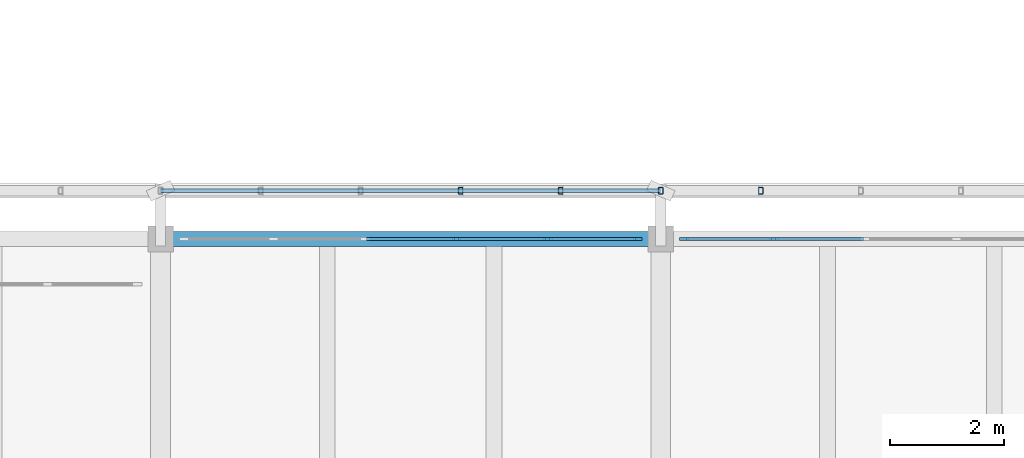
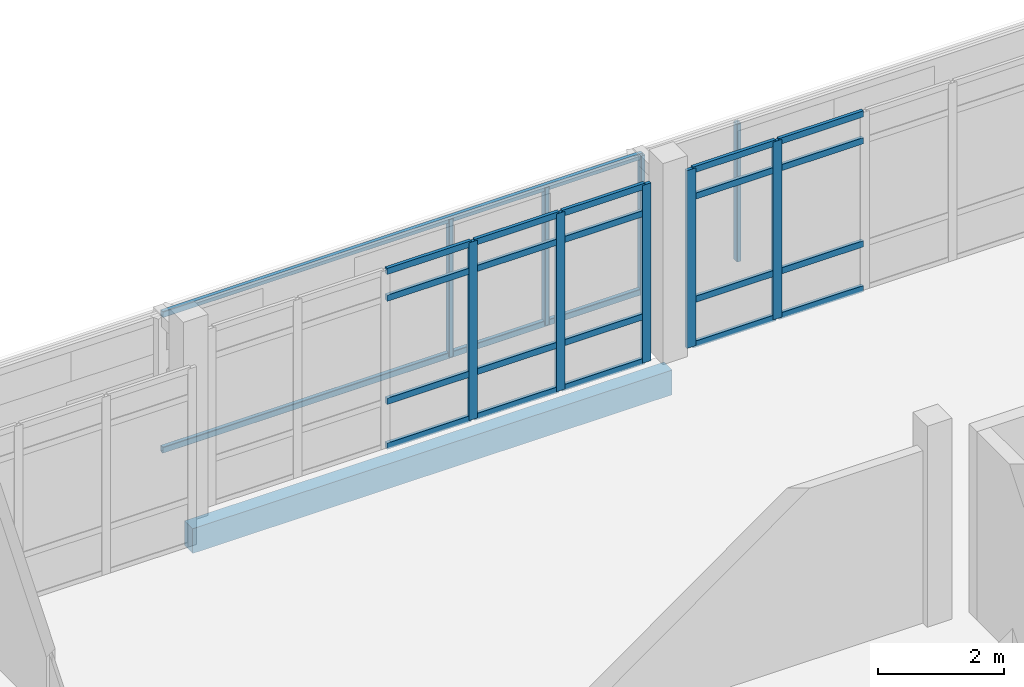
# One storey, part 30 of 117: 31 members, 1 beam, 2 elements without a shape of their own.
"""IFC4 building model written with IfcOpenShell, lengths in metres."""

from ifc_helpers import new_model, si_unit, direction, frame, origin, origin_2d, place, context, subcontext, project, spatial, rectangle, hollow_rectangle, extrude, material, material_profile, profile_set, type_object, element, aggregate, save


model = new_model("IFC4")

# Units and contexts
model_context = context("Model", 3, precision=1e-05, world=origin(), true_north=direction((0.0, 1.0)))
body_context = subcontext(model_context, "Body", "Model", "MODEL_VIEW")
ifc_project = project(units=[si_unit("LENGTHUNIT", "METRE"), si_unit("AREAUNIT", "SQUARE_METRE"), si_unit("VOLUMEUNIT", "CUBIC_METRE"), si_unit("PLANEANGLEUNIT", "RADIAN"), si_unit("MASSUNIT", "GRAM", prefix="KILO")], contexts=[model_context])

# Site, building, storey
site_placement = place(None, origin())
site = spatial("IfcSite", under=ifc_project, at=site_placement, CompositionType="ELEMENT")
building_placement = place(site_placement, origin())
building = spatial("IfcBuilding", under=site, at=building_placement, Name="Cinderway Yard Community Centre", CompositionType="ELEMENT")
storey_placement = place(building_placement, frame((0.0, 0.0, 9.0)))
storey = spatial("IfcBuildingStorey", under=building, at=storey_placement, Name="L02", CompositionType="ELEMENT", Elevation=9.0)

# Curtain wall, members
ifc_material_1 = material(Name="Aluminium 6063-T6", Category="aluminium")
curtain_wall_type = type_object("IfcCurtainWallType", Name="ENV-CW-TYPE-30", PredefinedType="USERDEFINED", material=ifc_material_1)
curtain_wall_1_placement = place(storey_placement, origin())
curtain_wall_1 = element("IfcCurtainWall", 1, at=curtain_wall_1_placement, inside=storey, type_object=curtain_wall_type, Name="Dining Courtyard Curtain Wall ENV-CW-L02-ST-0105", ObjectType="GLAZED CURTAIN WALL", PredefinedType="USERDEFINED")
ifc_material_profile_1 = material_profile(ifc_material_1, rectangle(XDim=0.06005859375, YDim=0.159912109375, at=origin_2d()), Name="Aluminium 6063-T6")
ifc_profile_set_1 = profile_set([ifc_material_profile_1], Name="Aluminium 6063-T6")
member_type_1 = type_object("IfcMemberType", Name="ENV-CW-MULL-150", PredefinedType="MULLION", material=ifc_profile_set_1)
member_1_placement = place(storey_placement, frame((98.00390625, 22.800048828125, 0.0), z_axis=(0.0, 0.0, 1.0), x_axis=(0.0, 1.0, 0.0)))
member_1 = element("IfcMember", 2, at=member_1_placement, type_object=member_type_1, Name="CW-30 mullion 4", PredefinedType="MULLION", context=body_context, shape_type="SweptSolid", body=[
    extrude(rectangle(XDim=0.06005859375, YDim=0.159912109375, at=origin_2d()), origin(), (0.0, 0.0, 1.0), 3.449951171875),
])
member_2_placement = place(storey_placement, frame((99.612060546875, 22.800048828125, 0.0), z_axis=(0.0, 0.0, 1.0), x_axis=(0.0, 1.0, 0.0)))
member_2 = element("IfcMember", 3, at=member_2_placement, type_object=member_type_1, Name="CW-30 mullion 5", PredefinedType="MULLION", context=body_context, shape_type="SweptSolid", body=[
    extrude(rectangle(XDim=0.06005859375, YDim=0.159912109375, at=origin_2d()), origin(), (0.0, 0.0, 1.0), 3.449951171875),
])
member_3_placement = place(storey_placement, frame((101.18994140625, 22.800048828125, 0.0), z_axis=(0.0, 0.0, 1.0), x_axis=(0.0, 1.0, 0.0)))
member_3 = element("IfcMember", 4, at=member_3_placement, type_object=member_type_1, Name="CW-30 mullion 6", PredefinedType="MULLION", context=body_context, shape_type="SweptSolid", body=[
    extrude(rectangle(XDim=0.06005859375, YDim=0.159912109375, at=origin_2d()), origin(), (0.0, 0.0, 1.0), 3.449951171875),
])

curtain_wall_2_placement = place(storey_placement, origin())
curtain_wall_2 = element("IfcCurtainWall", 5, at=curtain_wall_2_placement, inside=storey, type_object=curtain_wall_type, Name="Dining Courtyard Curtain Wall ENV-CW-L02-ST-0106", ObjectType="GLAZED CURTAIN WALL", PredefinedType="USERDEFINED")
member_4_placement = place(storey_placement, frame((102.010009765625, 22.800048828125, 0.0), z_axis=(0.0, 0.0, 1.0), x_axis=(0.0, 1.0, 0.0)))
member_4 = element("IfcMember", 6, at=member_4_placement, type_object=member_type_1, Name="CW-30 mullion 1", PredefinedType="MULLION", context=body_context, shape_type="SweptSolid", body=[
    extrude(rectangle(XDim=0.06005859375, YDim=0.159912109375, at=origin_2d()), origin(), (0.0, 0.0, 1.0), 3.449951171875),
])
member_5_placement = place(storey_placement, frame((103.587890625, 22.800048828125, 0.0), z_axis=(0.0, 0.0, 1.0), x_axis=(0.0, 1.0, 0.0)))
member_5 = element("IfcMember", 7, at=member_5_placement, type_object=member_type_1, Name="CW-30 mullion 2", PredefinedType="MULLION", context=body_context, shape_type="SweptSolid", body=[
    extrude(rectangle(XDim=0.06005859375, YDim=0.159912109375, at=origin_2d()), origin(), (0.0, 0.0, 1.0), 3.449951171875),
])

# Member
ifc_material_profile_2 = material_profile(ifc_material_1, rectangle(XDim=0.06005859375, YDim=0.1201171875, at=origin_2d()), Name="Aluminium 6063-T6")
ifc_profile_set_2 = profile_set([ifc_material_profile_2], Name="Aluminium 6063-T6")
member_type_2 = type_object("IfcMemberType", Name="ENV-CW-TRAN-110", PredefinedType="USERDEFINED", material=ifc_profile_set_2)
member_6_placement = place(storey_placement, frame((96.426025390625, 22.800048828125, 0.030029296875), z_axis=(1.0, 0.0, 0.0), x_axis=(0.0, 1.0, 0.0)))
member_6 = element("IfcMember", 8, at=member_6_placement, type_object=member_type_2, Name="CW-30 transom 3.1", ObjectType="TRANSOM", PredefinedType="USERDEFINED", context=body_context, shape_type="SweptSolid", body=[
    extrude(rectangle(XDim=0.06005859375, YDim=0.1201171875, at=origin_2d()), origin(), (0.0, 0.0, 1.0), 1.548095703125),
])

member_7_placement = place(storey_placement, frame((96.426025390625, 22.800048828125, 0.89990234375), z_axis=(1.0, 0.0, 0.0), x_axis=(0.0, 1.0, 0.0)))
member_7 = element("IfcMember", 9, at=member_7_placement, type_object=member_type_2, Name="CW-30 transom 3.2", ObjectType="TRANSOM", PredefinedType="USERDEFINED", context=body_context, shape_type="SweptSolid", body=[
    extrude(rectangle(XDim=0.06005859375, YDim=0.1201171875, at=origin_2d()), origin(), (0.0, 0.0, 1.0), 1.548095703125),
])

member_8_placement = place(storey_placement, frame((96.426025390625, 22.800048828125, 2.89990234375), z_axis=(1.0, 0.0, 0.0), x_axis=(0.0, 1.0, 0.0)))
member_8 = element("IfcMember", 10, at=member_8_placement, type_object=member_type_2, Name="CW-30 transom 3.3", ObjectType="TRANSOM", PredefinedType="USERDEFINED", context=body_context, shape_type="SweptSolid", body=[
    extrude(rectangle(XDim=0.06005859375, YDim=0.1201171875, at=origin_2d()), origin(), (0.0, 0.0, 1.0), 1.548095703125),
])

member_9_placement = place(storey_placement, frame((96.426025390625, 22.800048828125, 3.419921875), z_axis=(1.0, 0.0, 0.0), x_axis=(0.0, 1.0, 0.0)))
member_9 = element("IfcMember", 11, at=member_9_placement, type_object=member_type_2, Name="CW-30 transom 3.4", ObjectType="TRANSOM", PredefinedType="USERDEFINED", context=body_context, shape_type="SweptSolid", body=[
    extrude(rectangle(XDim=0.06005859375, YDim=0.1201171875, at=origin_2d()), origin(), (0.0, 0.0, 1.0), 1.548095703125),
])

member_10_placement = place(storey_placement, frame((98.033935546875, 22.800048828125, 0.030029296875), z_axis=(1.0, 0.0, 0.0), x_axis=(0.0, 1.0, 0.0)))
member_10 = element("IfcMember", 12, at=member_10_placement, type_object=member_type_2, Name="CW-30 transom 4.1", ObjectType="TRANSOM", PredefinedType="USERDEFINED", context=body_context, shape_type="SweptSolid", body=[
    extrude(rectangle(XDim=0.06005859375, YDim=0.1201171875, at=origin_2d()), origin(), (0.0, 0.0, 1.0), 1.548095703125),
])

member_11_placement = place(storey_placement, frame((98.033935546875, 22.800048828125, 0.89990234375), z_axis=(1.0, 0.0, 0.0), x_axis=(0.0, 1.0, 0.0)))
member_11 = element("IfcMember", 13, at=member_11_placement, type_object=member_type_2, Name="CW-30 transom 4.2", ObjectType="TRANSOM", PredefinedType="USERDEFINED", context=body_context, shape_type="SweptSolid", body=[
    extrude(rectangle(XDim=0.06005859375, YDim=0.1201171875, at=origin_2d()), origin(), (0.0, 0.0, 1.0), 1.548095703125),
])

member_12_placement = place(storey_placement, frame((98.033935546875, 22.800048828125, 2.89990234375), z_axis=(1.0, 0.0, 0.0), x_axis=(0.0, 1.0, 0.0)))
member_12 = element("IfcMember", 14, at=member_12_placement, type_object=member_type_2, Name="CW-30 transom 4.3", ObjectType="TRANSOM", PredefinedType="USERDEFINED", context=body_context, shape_type="SweptSolid", body=[
    extrude(rectangle(XDim=0.06005859375, YDim=0.1201171875, at=origin_2d()), origin(), (0.0, 0.0, 1.0), 1.548095703125),
])

member_13_placement = place(storey_placement, frame((98.033935546875, 22.800048828125, 3.419921875), z_axis=(1.0, 0.0, 0.0), x_axis=(0.0, 1.0, 0.0)))
member_13 = element("IfcMember", 15, at=member_13_placement, type_object=member_type_2, Name="CW-30 transom 4.4", ObjectType="TRANSOM", PredefinedType="USERDEFINED", context=body_context, shape_type="SweptSolid", body=[
    extrude(rectangle(XDim=0.06005859375, YDim=0.1201171875, at=origin_2d()), origin(), (0.0, 0.0, 1.0), 1.548095703125),
])

member_14_placement = place(storey_placement, frame((99.64208984375, 22.800048828125, 0.030029296875), z_axis=(1.0, 0.0, 0.0), x_axis=(0.0, 1.0, 0.0)))
member_14 = element("IfcMember", 16, at=member_14_placement, type_object=member_type_2, Name="CW-30 transom 5.1", ObjectType="TRANSOM", PredefinedType="USERDEFINED", context=body_context, shape_type="SweptSolid", body=[
    extrude(rectangle(XDim=0.06005859375, YDim=0.1201171875, at=origin_2d()), origin(), (0.0, 0.0, 1.0), 1.517822265625),
])

member_15_placement = place(storey_placement, frame((99.64208984375, 22.800048828125, 0.89990234375), z_axis=(1.0, 0.0, 0.0), x_axis=(0.0, 1.0, 0.0)))
member_15 = element("IfcMember", 17, at=member_15_placement, type_object=member_type_2, Name="CW-30 transom 5.2", ObjectType="TRANSOM", PredefinedType="USERDEFINED", context=body_context, shape_type="SweptSolid", body=[
    extrude(rectangle(XDim=0.06005859375, YDim=0.1201171875, at=origin_2d()), origin(), (0.0, 0.0, 1.0), 1.517822265625),
])

member_16_placement = place(storey_placement, frame((99.64208984375, 22.800048828125, 2.89990234375), z_axis=(1.0, 0.0, 0.0), x_axis=(0.0, 1.0, 0.0)))
member_16 = element("IfcMember", 18, at=member_16_placement, type_object=member_type_2, Name="CW-30 transom 5.3", ObjectType="TRANSOM", PredefinedType="USERDEFINED", context=body_context, shape_type="SweptSolid", body=[
    extrude(rectangle(XDim=0.06005859375, YDim=0.1201171875, at=origin_2d()), origin(), (0.0, 0.0, 1.0), 1.517822265625),
])

member_17_placement = place(storey_placement, frame((99.64208984375, 22.800048828125, 3.419921875), z_axis=(1.0, 0.0, 0.0), x_axis=(0.0, 1.0, 0.0)))
member_17 = element("IfcMember", 19, at=member_17_placement, type_object=member_type_2, Name="CW-30 transom 5.4", ObjectType="TRANSOM", PredefinedType="USERDEFINED", context=body_context, shape_type="SweptSolid", body=[
    extrude(rectangle(XDim=0.06005859375, YDim=0.1201171875, at=origin_2d()), origin(), (0.0, 0.0, 1.0), 1.517822265625),
])

aggregate(curtain_wall_1, [member_1, member_2, member_3, member_6, member_7, member_8, member_9, member_10, member_11, member_12, member_13, member_14, member_15, member_16, member_17])

member_18_placement = place(storey_placement, frame((102.0400390625, 22.800048828125, 0.030029296875), z_axis=(1.0, 0.0, 0.0), x_axis=(0.0, 1.0, 0.0)))
member_18 = element("IfcMember", 20, at=member_18_placement, type_object=member_type_2, Name="CW-30 transom 1.1", ObjectType="TRANSOM", PredefinedType="USERDEFINED", context=body_context, shape_type="SweptSolid", body=[
    extrude(rectangle(XDim=0.06005859375, YDim=0.1201171875, at=origin_2d()), origin(), (0.0, 0.0, 1.0), 1.51806640625),
])

member_19_placement = place(storey_placement, frame((102.0400390625, 22.800048828125, 0.89990234375), z_axis=(1.0, 0.0, 0.0), x_axis=(0.0, 1.0, 0.0)))
member_19 = element("IfcMember", 21, at=member_19_placement, type_object=member_type_2, Name="CW-30 transom 1.2", ObjectType="TRANSOM", PredefinedType="USERDEFINED", context=body_context, shape_type="SweptSolid", body=[
    extrude(rectangle(XDim=0.06005859375, YDim=0.1201171875, at=origin_2d()), origin(), (0.0, 0.0, 1.0), 1.51806640625),
])

member_20_placement = place(storey_placement, frame((102.0400390625, 22.800048828125, 2.89990234375), z_axis=(1.0, 0.0, 0.0), x_axis=(0.0, 1.0, 0.0)))
member_20 = element("IfcMember", 22, at=member_20_placement, type_object=member_type_2, Name="CW-30 transom 1.3", ObjectType="TRANSOM", PredefinedType="USERDEFINED", context=body_context, shape_type="SweptSolid", body=[
    extrude(rectangle(XDim=0.06005859375, YDim=0.1201171875, at=origin_2d()), origin(), (0.0, 0.0, 1.0), 1.51806640625),
])

member_21_placement = place(storey_placement, frame((102.0400390625, 22.800048828125, 3.419921875), z_axis=(1.0, 0.0, 0.0), x_axis=(0.0, 1.0, 0.0)))
member_21 = element("IfcMember", 23, at=member_21_placement, type_object=member_type_2, Name="CW-30 transom 1.4", ObjectType="TRANSOM", PredefinedType="USERDEFINED", context=body_context, shape_type="SweptSolid", body=[
    extrude(rectangle(XDim=0.06005859375, YDim=0.1201171875, at=origin_2d()), origin(), (0.0, 0.0, 1.0), 1.51806640625),
])

member_22_placement = place(storey_placement, frame((103.617919921875, 22.800048828125, 0.030029296875), z_axis=(1.0, 0.0, 0.0), x_axis=(0.0, 1.0, 0.0)))
member_22 = element("IfcMember", 24, at=member_22_placement, type_object=member_type_2, Name="CW-30 transom 2.1", ObjectType="TRANSOM", PredefinedType="USERDEFINED", context=body_context, shape_type="SweptSolid", body=[
    extrude(rectangle(XDim=0.06005859375, YDim=0.1201171875, at=origin_2d()), origin(), (0.0, 0.0, 1.0), 1.548095703125),
])

member_23_placement = place(storey_placement, frame((103.617919921875, 22.800048828125, 0.89990234375), z_axis=(1.0, 0.0, 0.0), x_axis=(0.0, 1.0, 0.0)))
member_23 = element("IfcMember", 25, at=member_23_placement, type_object=member_type_2, Name="CW-30 transom 2.2", ObjectType="TRANSOM", PredefinedType="USERDEFINED", context=body_context, shape_type="SweptSolid", body=[
    extrude(rectangle(XDim=0.06005859375, YDim=0.1201171875, at=origin_2d()), origin(), (0.0, 0.0, 1.0), 1.548095703125),
])

member_24_placement = place(storey_placement, frame((103.617919921875, 22.800048828125, 2.89990234375), z_axis=(1.0, 0.0, 0.0), x_axis=(0.0, 1.0, 0.0)))
member_24 = element("IfcMember", 26, at=member_24_placement, type_object=member_type_2, Name="CW-30 transom 2.3", ObjectType="TRANSOM", PredefinedType="USERDEFINED", context=body_context, shape_type="SweptSolid", body=[
    extrude(rectangle(XDim=0.06005859375, YDim=0.1201171875, at=origin_2d()), origin(), (0.0, 0.0, 1.0), 1.548095703125),
])

member_25_placement = place(storey_placement, frame((103.617919921875, 22.800048828125, 3.419921875), z_axis=(1.0, 0.0, 0.0), x_axis=(0.0, 1.0, 0.0)))
member_25 = element("IfcMember", 27, at=member_25_placement, type_object=member_type_2, Name="CW-30 transom 2.4", ObjectType="TRANSOM", PredefinedType="USERDEFINED", context=body_context, shape_type="SweptSolid", body=[
    extrude(rectangle(XDim=0.06005859375, YDim=0.1201171875, at=origin_2d()), origin(), (0.0, 0.0, 1.0), 1.548095703125),
])

aggregate(curtain_wall_2, [member_4, member_5, member_18, member_19, member_20, member_21, member_22, member_23, member_24, member_25])

# Members
ifc_material_2 = material(Name="Steel S355", Category="steel")
ifc_material_profile_3 = material_profile(ifc_material_2, hollow_rectangle(XDim=0.080078125, YDim=0.1201171875, WallThickness=0.00634765625, InnerFilletRadius=0.00634765625, OuterFilletRadius=0.0126953125, at=origin_2d()), Name="Steel S355")
ifc_profile_set_3 = profile_set([ifc_material_profile_3], Name="Steel S355")
member_type_3 = type_object("IfcMemberType", Name="ENV-MEM-SCREEN-RAIL-120", PredefinedType="STRINGER", material=ifc_profile_set_3)
for number, where, z_axis, x_axis, name in (
    (28, (92.800048828125, 23.64990234375, 0.7099609375), (1.0, 0.0, 0.0), (0.0, 1.0, 0.0), "Screen support rail 0724-BOT"),
    (29, (92.800048828125, 23.64990234375, 3.340087890625), (1.0, 0.0, 0.0), (0.0, 1.0, 0.0), "Screen support rail 0725-TOP"),
):
    element("IfcMember", number, at=place(storey_placement, frame(where, z_axis=z_axis, x_axis=x_axis)), inside=storey, type_object=member_type_3, Name=name, PredefinedType="STRINGER", context=body_context, shape_type="SweptSolid", body=[
        extrude(hollow_rectangle(XDim=0.080078125, YDim=0.1201171875, WallThickness=0.00634765625, InnerFilletRadius=0.00634765625, OuterFilletRadius=0.0126953125, at=origin_2d()), origin(), (0.0, 0.0, 1.0), 8.800048828125),
    ])
for number, where, z_axis, x_axis, name in (
    (30, (98.080078125, 23.64990234375, 0.68994140625), (0.0, 0.0, 1.0), (1.0, 0.0, 0.0), "Screen vertical mullion 0728"),
    (31, (99.840087890625, 23.64990234375, 0.68994140625), (0.0, 0.0, 1.0), (1.0, 0.0, 0.0), "Screen vertical mullion 0729"),
    (32, (101.60009765625, 23.64990234375, 0.68994140625), (0.0, 0.0, 1.0), (1.0, 0.0, 0.0), "Screen vertical mullion 0730"),
    (33, (103.360107421875, 23.64990234375, 0.68994140625), (0.0, 0.0, 1.0), (1.0, 0.0, 0.0), "Screen vertical mullion 0734"),
):
    element("IfcMember", number, at=place(storey_placement, frame(where, z_axis=z_axis, x_axis=x_axis)), inside=storey, type_object=member_type_3, Name=name, PredefinedType="STRINGER", context=body_context, shape_type="SweptSolid", body=[
        extrude(hollow_rectangle(XDim=0.080078125, YDim=0.1201171875, WallThickness=0.00634765625, InnerFilletRadius=0.00634765625, OuterFilletRadius=0.0126953125, at=origin_2d()), origin(), (0.0, 0.0, 1.0), 2.670166015625),
    ])

# Beam
ifc_material_3 = material(Name="Concrete C40/50", Category="concrete")
ifc_material_profile_4 = material_profile(ifc_material_3, rectangle(XDim=0.260009765625, YDim=0.47998046875, at=origin_2d()), Name="Concrete C40/50")
ifc_profile_set_4 = profile_set([ifc_material_profile_4], Name="Concrete C40/50")
beam_type = type_object("IfcBeamType", Name="STR-BM-RC260X480", PredefinedType="SPANDREL", material=ifc_profile_set_4)
beam_placement = place(storey_placement, frame((92.800048828125, 22.800048828125, -0.47998046875), z_axis=(1.0, 0.0, 0.0), x_axis=(0.0, 1.0, 0.0)))
element("IfcBeam", 34, at=beam_placement, inside=storey, type_object=beam_type, Name="Primary girder STR-BM-L02-SP01-0453", PredefinedType="SPANDREL", context=body_context, shape_type="SweptSolid", body=[
    extrude(rectangle(XDim=0.260009765625, YDim=0.47998046875, at=origin_2d()), origin(), (0.0, 0.0, 1.0), 8.800048828125),
])

save(model, "model.ifc")
